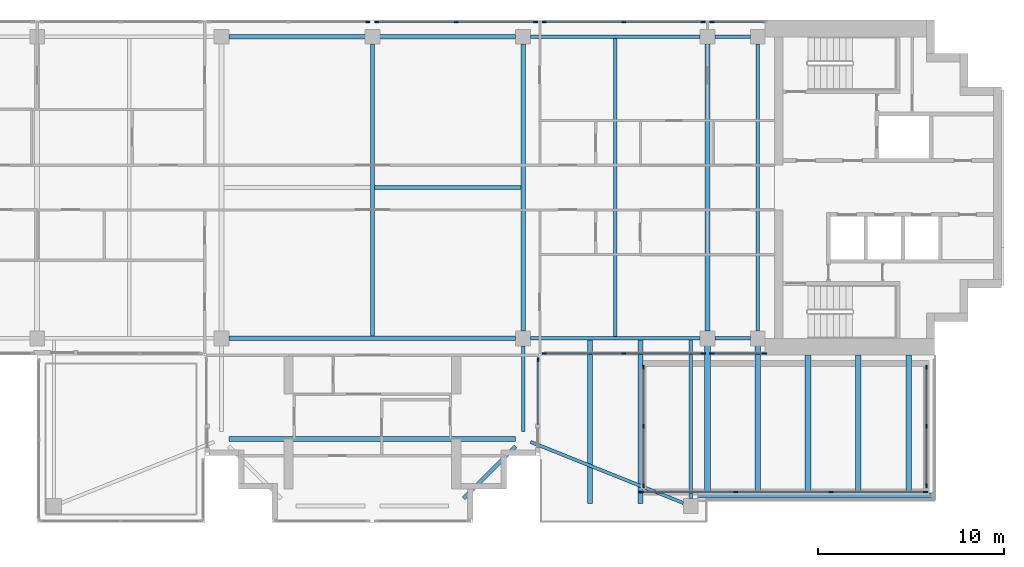
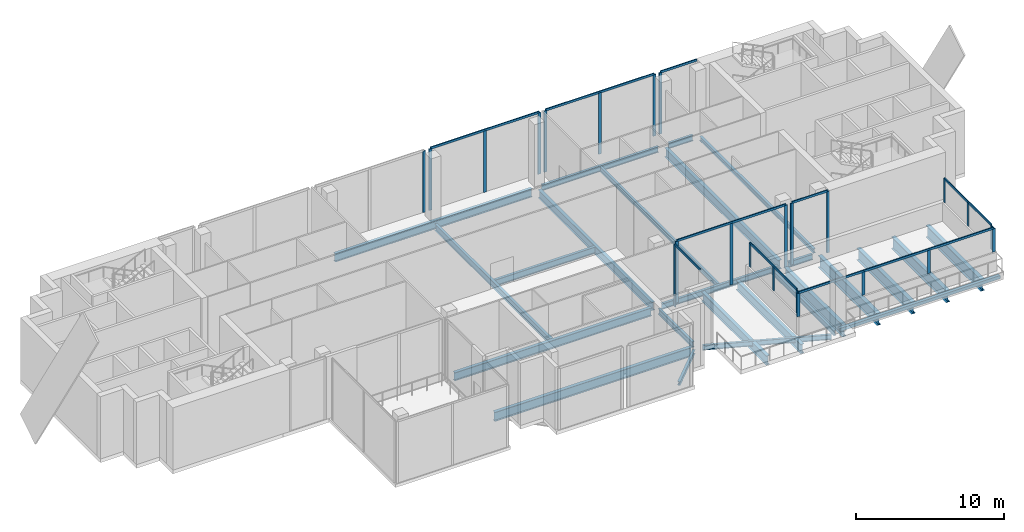
# One storey, part 3 of 14: 33 members, 25 beams, 10 elements without a shape of their own.
"""IFC4 building model written with IfcOpenShell, lengths in metres."""

from ifc_helpers import new_model, si_unit, direction, frame, origin, origin_2d, place, context, subcontext, project, spatial, rectangle, hollow_rectangle, i_section, extrude, material, material_profile, profile_set, type_object, element, aggregate, save


model = new_model("IFC4")

# Units and contexts
model_context = context("Model", 3, precision=1e-05, world=origin(), true_north=direction((0.0, 1.0)))
body_context = subcontext(model_context, "Body", "Model", "MODEL_VIEW")
ifc_project = project(units=[si_unit("LENGTHUNIT", "METRE"), si_unit("AREAUNIT", "SQUARE_METRE"), si_unit("VOLUMEUNIT", "CUBIC_METRE"), si_unit("PLANEANGLEUNIT", "RADIAN"), si_unit("MASSUNIT", "GRAM", prefix="KILO")], contexts=[model_context])

# Site, building, storey
site_placement = place(None, origin())
site = spatial("IfcSite", under=ifc_project, at=site_placement, CompositionType="ELEMENT")
building_placement = place(site_placement, origin())
building = spatial("IfcBuilding", under=site, at=building_placement, Name="Perihelion Cross Residences", CompositionType="ELEMENT")
storey_placement = place(building_placement, frame((0.0, 0.0, 285.0)))
storey = spatial("IfcBuildingStorey", under=building, at=storey_placement, Name="L73", CompositionType="ELEMENT", Elevation=285.0)

# Curtain wall, member
ifc_material_1 = material(Name="Bronze anodised aluminium, tinted glazing", Category="aluminium")
curtain_wall_type = type_object("IfcCurtainWallType", Name="CW3", PredefinedType="NOTDEFINED", material=ifc_material_1)
curtain_wall_1_placement = place(storey_placement, origin())
curtain_wall_1 = element("IfcCurtainWall", 1, at=curtain_wall_1_placement, inside=storey, type_object=curtain_wall_type, Name="Curtain wall CW3 L73 east side north bay 1", PredefinedType="NOTDEFINED")
ifc_material_2 = material(Name="Bronze anodised aluminium", Category="aluminium")
ifc_material_profile_1 = material_profile(ifc_material_2, rectangle(XDim=0.080078125, YDim=0.219970703125, at=origin_2d()), Name="CW3 mullion")
ifc_profile_set_1 = profile_set([ifc_material_profile_1], Name="Bronze anodised aluminium")
member_type_1 = type_object("IfcMemberType", Name="CW3 mullion", PredefinedType="MULLION", material=ifc_profile_set_1)
member_1_placement = place(storey_placement, frame((18.239990234375, 8.89990234375, 0.0), z_axis=(0.0, 0.0, 1.0), x_axis=(0.0, -1.0, 0.0)))
member_1 = element("IfcMember", 2, at=member_1_placement, type_object=member_type_1, Name="CW3 mullion 2", PredefinedType="MULLION", context=body_context, shape_type="SweptSolid", body=[
    extrude(rectangle(XDim=0.080078125, YDim=0.219970703125, at=origin_2d()), origin(), (0.0, 0.0, 1.0), 5.070068359375),
])

# Curtain wall, members
curtain_wall_2_placement = place(storey_placement, origin())
curtain_wall_2 = element("IfcCurtainWall", 3, at=curtain_wall_2_placement, inside=storey, type_object=curtain_wall_type, Name="Curtain wall CW3 L73 east side north bay 2", PredefinedType="NOTDEFINED")
member_2_placement = place(storey_placement, frame((17.760009765625, 8.89990234375, 0.0), z_axis=(0.0, 0.0, 1.0), x_axis=(0.0, -1.0, 0.0)))
member_2 = element("IfcMember", 4, at=member_2_placement, type_object=member_type_1, Name="CW3 mullion 1", PredefinedType="MULLION", context=body_context, shape_type="SweptSolid", body=[
    extrude(rectangle(XDim=0.080078125, YDim=0.219970703125, at=origin_2d()), origin(), (0.0, 0.0, 1.0), 5.070068359375),
])
member_3_placement = place(storey_placement, frame((13.5, 8.89990234375, 0.0), z_axis=(0.0, 0.0, 1.0), x_axis=(0.0, -1.0, 0.0)))
member_3 = element("IfcMember", 5, at=member_3_placement, type_object=member_type_1, Name="CW3 mullion 2", PredefinedType="MULLION", context=body_context, shape_type="SweptSolid", body=[
    extrude(rectangle(XDim=0.080078125, YDim=0.219970703125, at=origin_2d()), origin(), (0.0, 0.0, 1.0), 5.070068359375),
])
member_4_placement = place(storey_placement, frame((9.239990234375, 8.89990234375, 0.0), z_axis=(0.0, 0.0, 1.0), x_axis=(0.0, -1.0, 0.0)))
member_4 = element("IfcMember", 6, at=member_4_placement, type_object=member_type_1, Name="CW3 mullion 3", PredefinedType="MULLION", context=body_context, shape_type="SweptSolid", body=[
    extrude(rectangle(XDim=0.080078125, YDim=0.219970703125, at=origin_2d()), origin(), (0.0, 0.0, 1.0), 5.070068359375),
])

curtain_wall_3_placement = place(storey_placement, origin())
curtain_wall_3 = element("IfcCurtainWall", 7, at=curtain_wall_3_placement, inside=storey, type_object=curtain_wall_type, Name="Curtain wall CW3 L73 north side east bay 1", PredefinedType="NOTDEFINED")
member_5_placement = place(storey_placement, frame((8.760009765625, 8.89990234375, 0.0), z_axis=(0.0, 0.0, 1.0), x_axis=(0.0, -1.0, 0.0)))
member_5 = element("IfcMember", 8, at=member_5_placement, type_object=member_type_1, Name="CW3 mullion 1", PredefinedType="MULLION", context=body_context, shape_type="SweptSolid", body=[
    extrude(rectangle(XDim=0.080078125, YDim=0.219970703125, at=origin_2d()), origin(), (0.0, 0.0, 1.0), 5.070068359375),
])
member_6_placement = place(storey_placement, frame((4.5, 8.89990234375, 0.0), z_axis=(0.0, 0.0, 1.0), x_axis=(0.0, -1.0, 0.0)))
member_6 = element("IfcMember", 9, at=member_6_placement, type_object=member_type_1, Name="CW3 mullion 2", PredefinedType="MULLION", context=body_context, shape_type="SweptSolid", body=[
    extrude(rectangle(XDim=0.080078125, YDim=0.219970703125, at=origin_2d()), origin(), (0.0, 0.0, 1.0), 5.070068359375),
])
member_7_placement = place(storey_placement, frame((0.239990234375, 8.89990234375, 0.0), z_axis=(0.0, 0.0, 1.0), x_axis=(0.0, -1.0, 0.0)))
member_7 = element("IfcMember", 10, at=member_7_placement, type_object=member_type_1, Name="CW3 mullion 3", PredefinedType="MULLION", context=body_context, shape_type="SweptSolid", body=[
    extrude(rectangle(XDim=0.080078125, YDim=0.219970703125, at=origin_2d()), origin(), (0.0, 0.0, 1.0), 5.070068359375),
])

# Curtain wall, member
curtain_wall_4_placement = place(storey_placement, origin())
curtain_wall_4 = element("IfcCurtainWall", 11, at=curtain_wall_4_placement, inside=storey, type_object=curtain_wall_type, Name="Curtain wall CW3 L73 north side east bay 2", PredefinedType="NOTDEFINED")
member_8_placement = place(storey_placement, frame((-0.239990234375, 8.89990234375, 0.0), z_axis=(0.0, 0.0, 1.0), x_axis=(0.0, -1.0, 0.0)))
member_8 = element("IfcMember", 12, at=member_8_placement, type_object=member_type_1, Name="CW3 mullion 1", PredefinedType="MULLION", context=body_context, shape_type="SweptSolid", body=[
    extrude(rectangle(XDim=0.080078125, YDim=0.219970703125, at=origin_2d()), origin(), (0.0, 0.0, 1.0), 5.070068359375),
])
aggregate(curtain_wall_4, [member_8])

curtain_wall_5_placement = place(storey_placement, origin())
curtain_wall_5 = element("IfcCurtainWall", 13, at=curtain_wall_5_placement, inside=storey, type_object=curtain_wall_type, Name="Curtain wall CW3 L73 south side east bay 1", PredefinedType="NOTDEFINED")
member_9_placement = place(storey_placement, frame((8.89990234375, -9.239990234375, 0.0), z_axis=(0.0, 0.0, 1.0), x_axis=(-1.0, 0.0, 0.0)))
member_9 = element("IfcMember", 14, at=member_9_placement, type_object=member_type_1, Name="CW3 mullion 2", PredefinedType="MULLION", context=body_context, shape_type="SweptSolid", body=[
    extrude(rectangle(XDim=0.080078125, YDim=0.219970703125, at=origin_2d()), origin(), (0.0, 0.0, 1.0), 5.070068359375),
])

# Curtain wall, members
curtain_wall_6_placement = place(storey_placement, origin())
curtain_wall_6 = element("IfcCurtainWall", 15, at=curtain_wall_6_placement, inside=storey, type_object=curtain_wall_type, Name="Curtain wall CW3 L73 east side south bay 1", PredefinedType="NOTDEFINED")
member_10_placement = place(storey_placement, frame((9.239990234375, -8.89990234375, 0.0), z_axis=(0.0, 0.0, 1.0), x_axis=(0.0, 1.0, 0.0)))
member_10 = element("IfcMember", 16, at=member_10_placement, type_object=member_type_1, Name="CW3 mullion 1", PredefinedType="MULLION", context=body_context, shape_type="SweptSolid", body=[
    extrude(rectangle(XDim=0.080078125, YDim=0.219970703125, at=origin_2d()), origin(), (0.0, 0.0, 1.0), 5.070068359375),
])
member_11_placement = place(storey_placement, frame((13.5, -8.89990234375, 0.0), z_axis=(0.0, 0.0, 1.0), x_axis=(0.0, 1.0, 0.0)))
member_11 = element("IfcMember", 17, at=member_11_placement, type_object=member_type_1, Name="CW3 mullion 2", PredefinedType="MULLION", context=body_context, shape_type="SweptSolid", body=[
    extrude(rectangle(XDim=0.080078125, YDim=0.219970703125, at=origin_2d()), origin(), (0.0, 0.0, 1.0), 5.070068359375),
])
member_12_placement = place(storey_placement, frame((17.760009765625, -8.89990234375, 0.0), z_axis=(0.0, 0.0, 1.0), x_axis=(0.0, 1.0, 0.0)))
member_12 = element("IfcMember", 18, at=member_12_placement, type_object=member_type_1, Name="CW3 mullion 3", PredefinedType="MULLION", context=body_context, shape_type="SweptSolid", body=[
    extrude(rectangle(XDim=0.080078125, YDim=0.219970703125, at=origin_2d()), origin(), (0.0, 0.0, 1.0), 5.070068359375),
])

curtain_wall_7_placement = place(storey_placement, origin())
curtain_wall_7 = element("IfcCurtainWall", 19, at=curtain_wall_7_placement, inside=storey, type_object=curtain_wall_type, Name="Curtain wall CW3 L73 east side south bay 2", PredefinedType="NOTDEFINED")
member_13_placement = place(storey_placement, frame((18.239990234375, -8.89990234375, 0.0), z_axis=(0.0, 0.0, 1.0), x_axis=(0.0, 1.0, 0.0)))
member_13 = element("IfcMember", 20, at=member_13_placement, type_object=member_type_1, Name="CW3 mullion 1", PredefinedType="MULLION", context=body_context, shape_type="SweptSolid", body=[
    extrude(rectangle(XDim=0.080078125, YDim=0.219970703125, at=origin_2d()), origin(), (0.0, 0.0, 1.0), 5.070068359375),
])
member_14_placement = place(storey_placement, frame((21.06005859375, -8.89990234375, 0.0), z_axis=(0.0, 0.0, 1.0), x_axis=(0.0, 1.0, 0.0)))
member_14 = element("IfcMember", 21, at=member_14_placement, type_object=member_type_1, Name="CW3 mullion 2", PredefinedType="MULLION", context=body_context, shape_type="SweptSolid", body=[
    extrude(rectangle(XDim=0.080078125, YDim=0.219970703125, at=origin_2d()), origin(), (0.0, 0.0, 1.0), 5.070068359375),
])

curtain_wall_8_placement = place(storey_placement, origin())
curtain_wall_8 = element("IfcCurtainWall", 22, at=curtain_wall_8_placement, inside=storey, type_object=curtain_wall_type, Name="Curtain wall CW3 L73 pool no. 2", PredefinedType="NOTDEFINED")
member_15_placement = place(storey_placement, frame((14.43994140625, -16.35009765625, 1.550048828125), z_axis=(0.0, 0.0, 1.0), x_axis=(0.0, 1.0, 0.0)))
member_15 = element("IfcMember", 23, at=member_15_placement, type_object=member_type_1, Name="CW3 mullion 1", PredefinedType="MULLION", context=body_context, shape_type="SweptSolid", body=[
    extrude(rectangle(XDim=0.080078125, YDim=0.219970703125, at=origin_2d()), origin(), (0.0, 0.0, 1.0), 1.919921875),
])
member_16_placement = place(storey_placement, frame((19.5166015625, -16.35009765625, 1.550048828125), z_axis=(0.0, 0.0, 1.0), x_axis=(0.0, 1.0, 0.0)))
member_16 = element("IfcMember", 24, at=member_16_placement, type_object=member_type_1, Name="CW3 mullion 2", PredefinedType="MULLION", context=body_context, shape_type="SweptSolid", body=[
    extrude(rectangle(XDim=0.080078125, YDim=0.219970703125, at=origin_2d()), origin(), (0.0, 0.0, 1.0), 1.919921875),
])
member_17_placement = place(storey_placement, frame((24.63330078125, -16.35009765625, 1.550048828125), z_axis=(0.0, 0.0, 1.0), x_axis=(0.0, 1.0, 0.0)))
member_17 = element("IfcMember", 25, at=member_17_placement, type_object=member_type_1, Name="CW3 mullion 3", PredefinedType="MULLION", context=body_context, shape_type="SweptSolid", body=[
    extrude(rectangle(XDim=0.080078125, YDim=0.219970703125, at=origin_2d()), origin(), (0.0, 0.0, 1.0), 1.919921875),
])
member_18_placement = place(storey_placement, frame((29.7099609375, -16.35009765625, 1.550048828125), z_axis=(0.0, 0.0, 1.0), x_axis=(0.0, 1.0, 0.0)))
member_18 = element("IfcMember", 26, at=member_18_placement, type_object=member_type_1, Name="CW3 mullion 4", PredefinedType="MULLION", context=body_context, shape_type="SweptSolid", body=[
    extrude(rectangle(XDim=0.080078125, YDim=0.219970703125, at=origin_2d()), origin(), (0.0, 0.0, 1.0), 1.919921875),
])

curtain_wall_9_placement = place(storey_placement, origin())
curtain_wall_9 = element("IfcCurtainWall", 27, at=curtain_wall_9_placement, inside=storey, type_object=curtain_wall_type, Name="Curtain wall CW3 L73 pool no. 1", PredefinedType="NOTDEFINED")
member_19_placement = place(storey_placement, frame((29.75, -16.010009765625, 1.550048828125), z_axis=(0.0, 0.0, 1.0), x_axis=(-1.0, 0.0, 0.0)))
member_19 = element("IfcMember", 28, at=member_19_placement, type_object=member_type_1, Name="CW3 mullion 1", PredefinedType="MULLION", context=body_context, shape_type="SweptSolid", body=[
    extrude(rectangle(XDim=0.080078125, YDim=0.219970703125, at=origin_2d()), origin(), (0.0, 0.0, 1.0), 1.919921875),
])
member_20_placement = place(storey_placement, frame((29.75, -12.824951171875, 1.550048828125), z_axis=(0.0, 0.0, 1.0), x_axis=(-1.0, 0.0, 0.0)))
member_20 = element("IfcMember", 29, at=member_20_placement, type_object=member_type_1, Name="CW3 mullion 2", PredefinedType="MULLION", context=body_context, shape_type="SweptSolid", body=[
    extrude(rectangle(XDim=0.080078125, YDim=0.219970703125, at=origin_2d()), origin(), (0.0, 0.0, 1.0), 1.919921875),
])
member_21_placement = place(storey_placement, frame((29.75, -9.639892578125, 1.550048828125), z_axis=(0.0, 0.0, 1.0), x_axis=(-1.0, 0.0, 0.0)))
member_21 = element("IfcMember", 30, at=member_21_placement, type_object=member_type_1, Name="CW3 mullion 3", PredefinedType="MULLION", context=body_context, shape_type="SweptSolid", body=[
    extrude(rectangle(XDim=0.080078125, YDim=0.219970703125, at=origin_2d()), origin(), (0.0, 0.0, 1.0), 1.919921875),
])

curtain_wall_10_placement = place(storey_placement, origin())
curtain_wall_10 = element("IfcCurtainWall", 31, at=curtain_wall_10_placement, inside=storey, type_object=curtain_wall_type, Name="Curtain wall CW3 L73 pool no. 3", PredefinedType="NOTDEFINED")
member_22_placement = place(storey_placement, frame((14.550048828125, -16.010009765625, 1.550048828125), z_axis=(0.0, 0.0, 1.0), x_axis=(-1.0, 0.0, 0.0)))
member_22 = element("IfcMember", 32, at=member_22_placement, type_object=member_type_1, Name="CW3 mullion 1", PredefinedType="MULLION", context=body_context, shape_type="SweptSolid", body=[
    extrude(rectangle(XDim=0.080078125, YDim=0.219970703125, at=origin_2d()), origin(), (0.0, 0.0, 1.0), 1.919921875),
])
member_23_placement = place(storey_placement, frame((14.550048828125, -12.824951171875, 1.550048828125), z_axis=(0.0, 0.0, 1.0), x_axis=(-1.0, 0.0, 0.0)))
member_23 = element("IfcMember", 33, at=member_23_placement, type_object=member_type_1, Name="CW3 mullion 2", PredefinedType="MULLION", context=body_context, shape_type="SweptSolid", body=[
    extrude(rectangle(XDim=0.080078125, YDim=0.219970703125, at=origin_2d()), origin(), (0.0, 0.0, 1.0), 1.919921875),
])
member_24_placement = place(storey_placement, frame((14.550048828125, -9.639892578125, 1.550048828125), z_axis=(0.0, 0.0, 1.0), x_axis=(-1.0, 0.0, 0.0)))
member_24 = element("IfcMember", 34, at=member_24_placement, type_object=member_type_1, Name="CW3 mullion 3", PredefinedType="MULLION", context=body_context, shape_type="SweptSolid", body=[
    extrude(rectangle(XDim=0.080078125, YDim=0.219970703125, at=origin_2d()), origin(), (0.0, 0.0, 1.0), 1.919921875),
])

# Member
ifc_material_3 = material(Name="Bronze anodised aluminium", Category="aluminium")
ifc_material_profile_2 = material_profile(ifc_material_3, rectangle(XDim=0.080078125, YDim=0.179931640625, at=origin_2d()), Name="CW3 transom")
ifc_profile_set_2 = profile_set([ifc_material_profile_2], Name="Bronze anodised aluminium")
member_type_2 = type_object("IfcMemberType", Name="CW3 transom", PredefinedType="USERDEFINED", material=ifc_profile_set_2)
member_25_placement = place(storey_placement, frame((21.06005859375, 8.89990234375, 5.110107421875), z_axis=(-1.0, 0.0, 0.0), x_axis=(0.0, -1.0, 0.0)))
member_25 = element("IfcMember", 35, at=member_25_placement, type_object=member_type_2, Name="CW3 head transom", ObjectType="TRANSOM", PredefinedType="USERDEFINED", context=body_context, shape_type="SweptSolid", body=[
    extrude(rectangle(XDim=0.080078125, YDim=0.179931640625, at=origin_2d()), origin(), (0.0, 0.0, 1.0), 2.820068359375),
])

aggregate(curtain_wall_1, [member_1, member_25])

member_26_placement = place(storey_placement, frame((17.760009765625, 8.89990234375, 5.110107421875), z_axis=(-1.0, 0.0, 0.0), x_axis=(0.0, -1.0, 0.0)))
member_26 = element("IfcMember", 36, at=member_26_placement, type_object=member_type_2, Name="CW3 head transom", ObjectType="TRANSOM", PredefinedType="USERDEFINED", context=body_context, shape_type="SweptSolid", body=[
    extrude(rectangle(XDim=0.080078125, YDim=0.179931640625, at=origin_2d()), origin(), (0.0, 0.0, 1.0), 8.52001953125),
])

aggregate(curtain_wall_2, [member_2, member_3, member_4, member_26])

member_27_placement = place(storey_placement, frame((8.760009765625, 8.89990234375, 5.110107421875), z_axis=(-1.0, 0.0, 0.0), x_axis=(0.0, -1.0, 0.0)))
member_27 = element("IfcMember", 37, at=member_27_placement, type_object=member_type_2, Name="CW3 head transom", ObjectType="TRANSOM", PredefinedType="USERDEFINED", context=body_context, shape_type="SweptSolid", body=[
    extrude(rectangle(XDim=0.080078125, YDim=0.179931640625, at=origin_2d()), origin(), (0.0, 0.0, 1.0), 8.52001953125),
])

aggregate(curtain_wall_3, [member_5, member_6, member_7, member_27])

member_28_placement = place(storey_placement, frame((8.89990234375, -12.699951171875, 5.110107421875), z_axis=(0.0, 1.0, 0.0), x_axis=(-1.0, 0.0, 0.0)))
member_28 = element("IfcMember", 38, at=member_28_placement, type_object=member_type_2, Name="CW3 head transom", ObjectType="TRANSOM", PredefinedType="USERDEFINED", context=body_context, shape_type="SweptSolid", body=[
    extrude(rectangle(XDim=0.080078125, YDim=0.179931640625, at=origin_2d()), origin(), (0.0, 0.0, 1.0), 3.4599609375),
])

aggregate(curtain_wall_5, [member_9, member_28])

member_29_placement = place(storey_placement, frame((9.239990234375, -8.89990234375, 5.110107421875), z_axis=(1.0, 0.0, 0.0), x_axis=(0.0, 1.0, 0.0)))
member_29 = element("IfcMember", 39, at=member_29_placement, type_object=member_type_2, Name="CW3 head transom", ObjectType="TRANSOM", PredefinedType="USERDEFINED", context=body_context, shape_type="SweptSolid", body=[
    extrude(rectangle(XDim=0.080078125, YDim=0.179931640625, at=origin_2d()), origin(), (0.0, 0.0, 1.0), 8.52001953125),
])

aggregate(curtain_wall_6, [member_10, member_11, member_12, member_29])

member_30_placement = place(storey_placement, frame((18.239990234375, -8.89990234375, 5.110107421875), z_axis=(1.0, 0.0, 0.0), x_axis=(0.0, 1.0, 0.0)))
member_30 = element("IfcMember", 40, at=member_30_placement, type_object=member_type_2, Name="CW3 head transom", ObjectType="TRANSOM", PredefinedType="USERDEFINED", context=body_context, shape_type="SweptSolid", body=[
    extrude(rectangle(XDim=0.080078125, YDim=0.179931640625, at=origin_2d()), origin(), (0.0, 0.0, 1.0), 2.820068359375),
])

aggregate(curtain_wall_7, [member_13, member_14, member_30])

member_31_placement = place(storey_placement, frame((14.43994140625, -16.35009765625, 3.510009765625), z_axis=(1.0, 0.0, 0.0), x_axis=(0.0, 1.0, 0.0)))
member_31 = element("IfcMember", 41, at=member_31_placement, type_object=member_type_2, Name="CW3 head transom", ObjectType="TRANSOM", PredefinedType="USERDEFINED", context=body_context, shape_type="SweptSolid", body=[
    extrude(rectangle(XDim=0.080078125, YDim=0.179931640625, at=origin_2d()), origin(), (0.0, 0.0, 1.0), 15.27001953125),
])

aggregate(curtain_wall_8, [member_15, member_16, member_17, member_18, member_31])

member_32_placement = place(storey_placement, frame((29.75, -16.010009765625, 3.510009765625), z_axis=(0.0, 1.0, 0.0), x_axis=(-1.0, 0.0, 0.0)))
member_32 = element("IfcMember", 42, at=member_32_placement, type_object=member_type_2, Name="CW3 head transom", ObjectType="TRANSOM", PredefinedType="USERDEFINED", context=body_context, shape_type="SweptSolid", body=[
    extrude(rectangle(XDim=0.080078125, YDim=0.179931640625, at=origin_2d()), origin(), (0.0, 0.0, 1.0), 6.3701171875),
])

aggregate(curtain_wall_9, [member_19, member_20, member_21, member_32])

member_33_placement = place(storey_placement, frame((14.550048828125, -16.010009765625, 3.510009765625), z_axis=(0.0, 1.0, 0.0), x_axis=(-1.0, 0.0, 0.0)))
member_33 = element("IfcMember", 43, at=member_33_placement, type_object=member_type_2, Name="CW3 head transom", ObjectType="TRANSOM", PredefinedType="USERDEFINED", context=body_context, shape_type="SweptSolid", body=[
    extrude(rectangle(XDim=0.080078125, YDim=0.179931640625, at=origin_2d()), origin(), (0.0, 0.0, 1.0), 6.3701171875),
])

aggregate(curtain_wall_10, [member_22, member_23, member_24, member_33])

# Beams
ifc_material_4 = material(Name="Steel S355", Category="steel")
ifc_material_profile_3 = material_profile(ifc_material_4, i_section(OverallWidth=0.205078125, OverallDepth=0.35302734375, WebThickness=0.009521484375, FlangeThickness=0.016845703125, at=origin_2d()), Name="W360x79")
ifc_profile_set_3 = profile_set([ifc_material_profile_3], Name="Steel S355")
beam_type_1 = type_object("IfcBeamType", Name="Core edge beam W360x79", PredefinedType="BEAM", material=ifc_profile_set_3)
beam_1_placement = place(storey_placement, frame((20.699951171875, -7.699951171875, -0.4765625), z_axis=(0.0, 1.0, 0.0), x_axis=(-1.0, 0.0, 0.0)))
element("IfcBeam", 44, at=beam_1_placement, inside=storey, type_object=beam_type_1, Name="Core edge beam TB7 L73 no. 2", PredefinedType="BEAM", context=body_context, shape_type="SweptSolid", body=[
    extrude(i_section(OverallWidth=0.205078125, OverallDepth=0.35302734375, WebThickness=0.009521484375, FlangeThickness=0.016845703125, at=origin_2d()), origin(), (0.0, 0.0, 1.0), 15.39990234375),
])
ifc_material_5 = material(Name="Steel S355", Category="steel")
ifc_material_profile_4 = material_profile(ifc_material_5, i_section(OverallWidth=0.177978515625, OverallDepth=0.406005859375, WebThickness=0.0078125, FlangeThickness=0.0126953125, at=origin_2d()), Name="W410x60")
ifc_profile_set_4 = profile_set([ifc_material_profile_4], Name="Steel S355")
beam_type_2 = type_object("IfcBeamType", Name="Core edge beam W410x60", PredefinedType="BEAM", material=ifc_profile_set_4)
beam_2_placement = place(storey_placement, frame((17.10009765625, -8.197021484375, -0.552978515625), z_axis=(0.0, -1.0, 0.0), x_axis=(1.0, 0.0, 0.0)))
element("IfcBeam", 45, at=beam_2_placement, inside=storey, type_object=beam_type_2, Name="Core edge beam TB2 L73 corner no. 3", PredefinedType="BEAM", context=body_context, shape_type="SweptSolid", body=[
    extrude(i_section(OverallWidth=0.177978515625, OverallDepth=0.406005859375, WebThickness=0.0078125, FlangeThickness=0.0126953125, at=origin_2d()), origin(), (0.0, 0.0, 1.0), 8.5029296875),
])
beam_3_placement = place(storey_placement, frame((8.5, -13.659912109375, -0.552978515625), z_axis=(0.928474784399, -0.371395442534, 0.0), x_axis=(0.371395442534, 0.928474784399, 0.0)))
element("IfcBeam", 46, at=beam_3_placement, inside=storey, type_object=beam_type_2, Name="Core edge beam TB2 L73 corner no. 4", PredefinedType="BEAM", context=body_context, shape_type="SweptSolid", body=[
    extrude(i_section(OverallWidth=0.177978515625, OverallDepth=0.406005859375, WebThickness=0.0078125, FlangeThickness=0.0126953125, at=origin_2d()), origin(), (0.0, 0.0, 1.0), 8.83154296875),
])
ifc_material_6 = material(Name="Steel S355", Category="steel")
ifc_material_profile_5 = material_profile(ifc_material_6, i_section(OverallWidth=0.194091796875, OverallDepth=0.469970703125, WebThickness=0.0126953125, FlangeThickness=0.0205078125, at=origin_2d()), Name="W460x106")
ifc_profile_set_5 = profile_set([ifc_material_profile_5], Name="Steel S355")
beam_type_3 = type_object("IfcBeamType", Name="Edge beam W460x106", PredefinedType="SPANDREL", material=ifc_profile_set_5)
beam_4_placement = place(storey_placement, frame((20.300048828125, 8.10009765625, -0.534912109375), z_axis=(-1.0, 0.0, 0.0), x_axis=(0.0, -1.0, 0.0)))
element("IfcBeam", 47, at=beam_4_placement, inside=storey, type_object=beam_type_3, Name="Edge beam SB5 L73 no. 10", PredefinedType="SPANDREL", context=body_context, shape_type="SweptSolid", body=[
    extrude(i_section(OverallWidth=0.194091796875, OverallDepth=0.469970703125, WebThickness=0.0126953125, FlangeThickness=0.0205078125, at=origin_2d()), origin(), (0.0, 0.0, 1.0), 1.900146484375),
])
beam_5_placement = place(storey_placement, frame((17.60009765625, 8.10009765625, -0.534912109375), z_axis=(-1.0, 0.0, 0.0), x_axis=(0.0, -1.0, 0.0)))
element("IfcBeam", 48, at=beam_5_placement, inside=storey, type_object=beam_type_3, Name="Edge beam SB5 L73 no. 9", PredefinedType="SPANDREL", context=body_context, shape_type="SweptSolid", body=[
    extrude(i_section(OverallWidth=0.194091796875, OverallDepth=0.469970703125, WebThickness=0.0126953125, FlangeThickness=0.0205078125, at=origin_2d()), origin(), (0.0, 0.0, 1.0), 9.10009765625),
])
beam_6_placement = place(storey_placement, frame((8.10009765625, -13.10009765625, -0.534912109375), z_axis=(0.0, 1.0, 0.0), x_axis=(-1.0, 0.0, 0.0)))
element("IfcBeam", 49, at=beam_6_placement, inside=storey, type_object=beam_type_3, Name="Edge beam SB5 L73 no. 11", PredefinedType="SPANDREL", context=body_context, shape_type="SweptSolid", body=[
    extrude(i_section(OverallWidth=0.194091796875, OverallDepth=0.469970703125, WebThickness=0.0126953125, FlangeThickness=0.0205078125, at=origin_2d()), origin(), (0.0, 0.0, 1.0), 4.60009765625),
])
beam_7_placement = place(storey_placement, frame((8.5, -8.10009765625, -0.534912109375), z_axis=(1.0, 0.0, 0.0), x_axis=(0.0, 1.0, 0.0)))
element("IfcBeam", 50, at=beam_7_placement, inside=storey, type_object=beam_type_3, Name="Edge beam SB5 L73 no. 12", PredefinedType="SPANDREL", context=body_context, shape_type="SweptSolid", body=[
    extrude(i_section(OverallWidth=0.194091796875, OverallDepth=0.469970703125, WebThickness=0.0126953125, FlangeThickness=0.0205078125, at=origin_2d()), origin(), (0.0, 0.0, 1.0), 9.10009765625),
])
beam_8_placement = place(storey_placement, frame((18.39990234375, -8.10009765625, -0.534912109375), z_axis=(1.0, 0.0, 0.0), x_axis=(0.0, 1.0, 0.0)))
element("IfcBeam", 51, at=beam_8_placement, inside=storey, type_object=beam_type_3, Name="Edge beam SB5 L73 no. 8", PredefinedType="SPANDREL", context=body_context, shape_type="SweptSolid", body=[
    extrude(i_section(OverallWidth=0.194091796875, OverallDepth=0.469970703125, WebThickness=0.0126953125, FlangeThickness=0.0205078125, at=origin_2d()), origin(), (0.0, 0.0, 1.0), 1.900146484375),
])
ifc_material_7 = material(Name="Steel S355", Category="steel")
ifc_material_profile_6 = material_profile(ifc_material_7, i_section(OverallWidth=0.26708984375, OverallDepth=0.75390625, WebThickness=0.01318359375, FlangeThickness=0.01708984375, at=origin_2d()), Name="W760x147")
ifc_profile_set_6 = profile_set([ifc_material_profile_6], Name="Steel S355")
beam_type_4 = type_object("IfcBeamType", Name="Floor girder W760x147", PredefinedType="BEAM", material=ifc_profile_set_6)
for number, where, z_axis, x_axis, name in (
    (52, (18.0, -7.699951171875, -0.677001953125), (0.0, 1.0, 0.0), (-1.0, 0.0, 0.0), "Girder G5 L73 no. 2"),
    (53, (-7.699951171875, -13.5, -0.677001953125), (1.0, 0.0, 0.0), (0.0, 1.0, 0.0), "Girder G5 L73 no. 3"),
):
    element("IfcBeam", number, at=place(storey_placement, frame(where, z_axis=z_axis, x_axis=x_axis)), inside=storey, type_object=beam_type_4, Name=name, PredefinedType="BEAM", context=body_context, shape_type="SweptSolid", body=[
        extrude(i_section(OverallWidth=0.26708984375, OverallDepth=0.75390625, WebThickness=0.01318359375, FlangeThickness=0.01708984375, at=origin_2d()), origin(), (0.0, 0.0, 1.0), 15.39990234375),
    ])
ifc_material_8 = material(Name="Steel S355", Category="steel")
ifc_material_profile_7 = material_profile(ifc_material_8, i_section(OverallWidth=0.177978515625, OverallDepth=0.406005859375, WebThickness=0.0078125, FlangeThickness=0.0126953125, at=origin_2d()), Name="W410x60")
ifc_profile_set_7 = profile_set([ifc_material_profile_7], Name="Steel S355")
beam_type_5 = type_object("IfcBeamType", Name="Floor joist W410x60", PredefinedType="JOIST", material=ifc_profile_set_7)
beam_9_placement = place(storey_placement, frame((13.050048828125, -8.0029296875, -0.5029296875), z_axis=(0.0, 1.0, 0.0), x_axis=(-1.0, 0.0, 0.0)))
element("IfcBeam", 54, at=beam_9_placement, inside=storey, type_object=beam_type_5, Name="Joist J6 L73 no. 2", PredefinedType="JOIST", context=body_context, shape_type="SweptSolid", body=[
    extrude(i_section(OverallWidth=0.177978515625, OverallDepth=0.406005859375, WebThickness=0.0078125, FlangeThickness=0.0126953125, at=origin_2d()), origin(), (0.0, 0.0, 1.0), 16.005859375),
])
ifc_material_9 = material(Name="Steel S355", Category="steel")
ifc_material_profile_8 = material_profile(ifc_material_9, i_section(OverallWidth=0.208984375, OverallDepth=0.532958984375, WebThickness=0.01025390625, FlangeThickness=0.015625, at=origin_2d()), Name="W530x92")
ifc_profile_set_8 = profile_set([ifc_material_profile_8], Name="Steel S355")
beam_type_6 = type_object("IfcBeamType", Name="Hub cross beam W530x92", PredefinedType="BEAM", material=ifc_profile_set_8)
beam_10_placement = place(storey_placement, frame((0.0, -7.972900390625, -0.56640625), z_axis=(0.0, 1.0, 0.0), x_axis=(-1.0, 0.0, 0.0)))
element("IfcBeam", 55, at=beam_10_placement, inside=storey, type_object=beam_type_6, Name="Hub cross beam XB5 L73 no. 1", PredefinedType="BEAM", context=body_context, shape_type="SweptSolid", body=[
    extrude(i_section(OverallWidth=0.208984375, OverallDepth=0.532958984375, WebThickness=0.01025390625, FlangeThickness=0.015625, at=origin_2d()), origin(), (0.0, 0.0, 1.0), 15.6728515625),
])
beam_11_placement = place(storey_placement, frame((0.1044921875, 0.0, -0.56640625), z_axis=(1.0, 0.0, 0.0), x_axis=(0.0, 1.0, 0.0)))
element("IfcBeam", 56, at=beam_11_placement, inside=storey, type_object=beam_type_6, Name="Hub cross beam XB5 L73 2 no. 1", PredefinedType="BEAM", context=body_context, shape_type="SweptSolid", body=[
    extrude(i_section(OverallWidth=0.208984375, OverallDepth=0.532958984375, WebThickness=0.01025390625, FlangeThickness=0.015625, at=origin_2d()), origin(), (0.0, 0.0, 1.0), 7.868408203125),
])
ifc_material_10 = material(Name="Steel S355", Category="steel")
ifc_material_profile_9 = material_profile(ifc_material_10, i_section(OverallWidth=0.25390625, OverallDepth=0.677978515625, WebThickness=0.01171875, FlangeThickness=0.016357421875, at=origin_2d()), Name="W690x125")
ifc_profile_set_9 = profile_set([ifc_material_profile_9], Name="Steel S355")
beam_type_7 = type_object("IfcBeamType", Name="Hub ring girder W690x125", PredefinedType="BEAM", material=ifc_profile_set_9)
for number, where, z_axis, x_axis, name in (
    (57, (-7.699951171875, -8.10009765625, -0.638916015625), (1.0, 0.0, 0.0), (0.0, 1.0, 0.0), "Hub ring girder RG5 L73 no. 1"),
    (58, (8.10009765625, -7.699951171875, -0.638916015625), (0.0, 1.0, 0.0), (-1.0, 0.0, 0.0), "Hub ring girder RG5 L73 no. 3"),
    (59, (7.699951171875, 8.10009765625, -0.638916015625), (-1.0, 0.0, 0.0), (0.0, -1.0, 0.0), "Hub ring girder RG5 L73 no. 4"),
):
    element("IfcBeam", number, at=place(storey_placement, frame(where, z_axis=z_axis, x_axis=x_axis)), inside=storey, type_object=beam_type_7, Name=name, PredefinedType="BEAM", context=body_context, shape_type="SweptSolid", body=[
        extrude(i_section(OverallWidth=0.25390625, OverallDepth=0.677978515625, WebThickness=0.01171875, FlangeThickness=0.016357421875, at=origin_2d()), origin(), (0.0, 0.0, 1.0), 15.39990234375),
    ])
ifc_material_11 = material(Name="Steel S355", Category="steel")
ifc_material_profile_10 = material_profile(ifc_material_11, i_section(OverallWidth=0.202880859375, OverallDepth=0.302001953125, WebThickness=0.007568359375, FlangeThickness=0.01318359375, at=origin_2d()), Name="W310x60")
ifc_profile_set_10 = profile_set([ifc_material_profile_10], Name="Steel S355")
beam_type_8 = type_object("IfcBeamType", Name="Serration edge beam W310x60", PredefinedType="BEAM", material=ifc_profile_set_10)
beam_12_placement = place(storey_placement, frame((4.89990234375, -16.699951171875, -0.450927734375), z_axis=(0.707106781187, 0.707106781187, 0.0), x_axis=(-0.707106781187, 0.707106781187, 0.0)))
element("IfcBeam", 60, at=beam_12_placement, inside=storey, type_object=beam_type_8, Name="Serration edge beam EB5 L73 no. 2", PredefinedType="BEAM", context=body_context, shape_type="SweptSolid", body=[
    extrude(i_section(OverallWidth=0.202880859375, OverallDepth=0.302001953125, WebThickness=0.007568359375, FlangeThickness=0.01318359375, at=origin_2d()), origin(), (0.0, 0.0, 1.0), 3.9599609375),
])
ifc_material_12 = material(Name="Steel S355", Category="steel")
ifc_material_profile_11 = material_profile(ifc_material_12, i_section(OverallWidth=0.26708984375, OverallDepth=0.77001953125, WebThickness=0.015625, FlangeThickness=0.025390625, at=origin_2d()), Name="W760x196")
ifc_profile_set_11 = profile_set([ifc_material_profile_11], Name="Steel S355")
beam_type_9 = type_object("IfcBeamType", Name="Sky pool bearer W760x196", PredefinedType="BEAM", material=ifc_profile_set_11)
for number, where, z_axis, x_axis, name in (
    (61, (11.699951171875, -8.199951171875, -0.735107421875), (0.0, -1.0, 0.0), (1.0, 0.0, 0.0), "Beam CB6 L73 pool bearer no. 1"),
    (62, (14.39990234375, -8.199951171875, -0.735107421875), (0.0, -1.0, 0.0), (1.0, 0.0, 0.0), "Beam CB6 L73 pool bearer no. 2"),
):
    element("IfcBeam", number, at=place(storey_placement, frame(where, z_axis=z_axis, x_axis=x_axis)), inside=storey, type_object=beam_type_9, Name=name, PredefinedType="BEAM", context=body_context, shape_type="SweptSolid", body=[
        extrude(i_section(OverallWidth=0.26708984375, OverallDepth=0.77001953125, WebThickness=0.015625, FlangeThickness=0.025390625, at=origin_2d()), origin(), (0.0, 0.0, 1.0), 8.780029296875),
    ])
ifc_material_13 = material(Name="Steel S355", Category="steel")
ifc_material_profile_12 = material_profile(ifc_material_13, i_section(OverallWidth=0.300048828125, OverallDepth=0.97998046875, WebThickness=0.0166015625, FlangeThickness=0.026123046875, at=origin_2d()), Name="W1000x249")
ifc_profile_set_12 = profile_set([ifc_material_profile_12], Name="Steel S355")
beam_type_10 = type_object("IfcBeamType", Name="Sky pool cantilever beam W1000x249", PredefinedType="BEAM", material=ifc_profile_set_12)
for number, where, z_axis, x_axis, name in (
    (63, (18.0, -8.43994140625, -0.840087890625), (0.0, -1.0, 0.0), (1.0, 0.0, 0.0), "Beam CB3 L73 pool cantilever no. 1"),
    (64, (20.699951171875, -8.43994140625, -0.840087890625), (0.0, -1.0, 0.0), (1.0, 0.0, 0.0), "Beam CB3 L73 pool cantilever no. 2"),
):
    element("IfcBeam", number, at=place(storey_placement, frame(where, z_axis=z_axis, x_axis=x_axis)), inside=storey, type_object=beam_type_10, Name=name, PredefinedType="BEAM", context=body_context, shape_type="SweptSolid", body=[
        extrude(i_section(OverallWidth=0.300048828125, OverallDepth=0.97998046875, WebThickness=0.0166015625, FlangeThickness=0.026123046875, at=origin_2d()), origin(), (0.0, 0.0, 1.0), 7.97607421875),
    ])
for number, where, z_axis, x_axis, name in (
    (65, (23.39990234375, -9.0, -0.840087890625), (0.0, -1.0, 0.0), (1.0, 0.0, 0.0), "Beam CB3 L73 pool cantilever no. 3"),
    (66, (26.10009765625, -9.0, -0.840087890625), (0.0, -1.0, 0.0), (1.0, 0.0, 0.0), "Beam CB3 L73 pool cantilever no. 4"),
    (67, (28.800048828125, -9.0, -0.840087890625), (0.0, -1.0, 0.0), (1.0, 0.0, 0.0), "Beam CB3 L73 pool cantilever no. 5"),
):
    element("IfcBeam", number, at=place(storey_placement, frame(where, z_axis=z_axis, x_axis=x_axis)), inside=storey, type_object=beam_type_10, Name=name, PredefinedType="BEAM", context=body_context, shape_type="SweptSolid", body=[
        extrude(i_section(OverallWidth=0.300048828125, OverallDepth=0.97998046875, WebThickness=0.0166015625, FlangeThickness=0.026123046875, at=origin_2d()), origin(), (0.0, 0.0, 1.0), 7.416015625),
    ])
ifc_material_14 = material(Name="Steel S355", Category="steel")
ifc_material_profile_13 = material_profile(ifc_material_14, hollow_rectangle(XDim=0.25390625, YDim=0.25390625, WallThickness=0.0126953125, at=origin_2d()), Name="HSS254x254x12.7")
ifc_profile_set_13 = profile_set([ifc_material_profile_13], Name="Steel S355")
beam_type_11 = type_object("IfcBeamType", Name="Sky pool edge beam HSS254x254x12.7", PredefinedType="BEAM", material=ifc_profile_set_13)
beam_13_placement = place(storey_placement, frame((17.5, -16.54296875, -0.47705078125), z_axis=(1.0, 0.0, 0.0), x_axis=(0.0, 1.0, 0.0)))
element("IfcBeam", 68, at=beam_13_placement, inside=storey, type_object=beam_type_11, Name="Beam CB4 L73 pool edge", PredefinedType="BEAM", context=body_context, shape_type="SweptSolid", body=[
    extrude(hollow_rectangle(XDim=0.25390625, YDim=0.25390625, WallThickness=0.0126953125, at=origin_2d()), origin(), (0.0, 0.0, 1.0), 12.550048828125),
])

save(model, "model.ifc")
